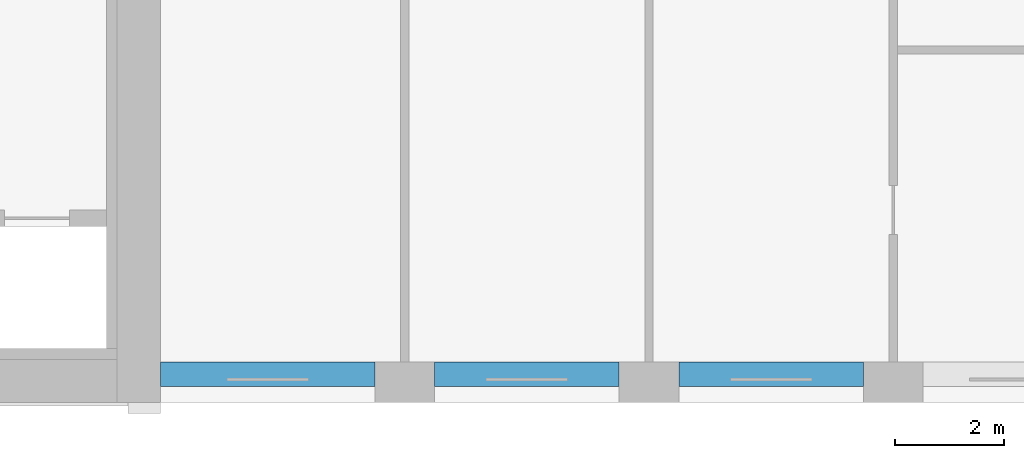
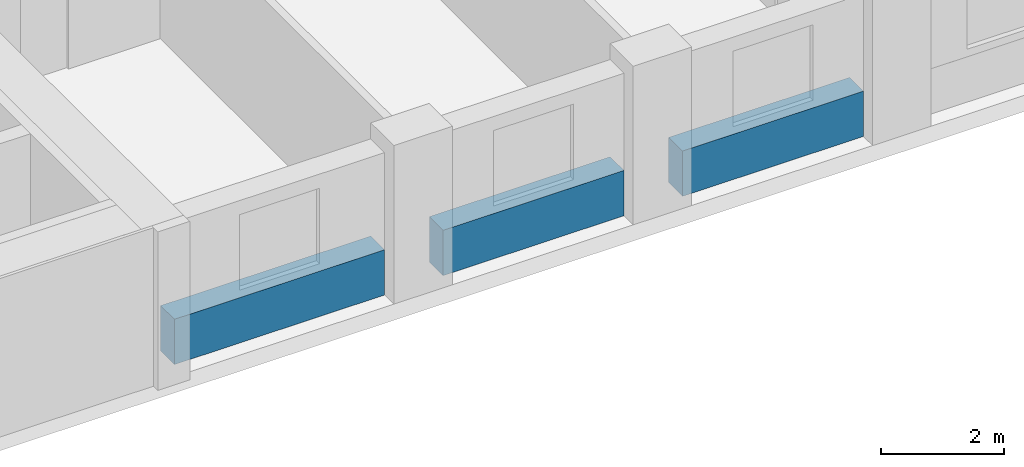
# One storey, part 3 of 16: 3 beams.
"""IFC4 building model written with IfcOpenShell, lengths in metres."""

from ifc_helpers import new_model, si_unit, direction, frame, origin, origin_2d, place, context, subcontext, project, spatial, rectangle, extrude, material, material_profile, profile_set, type_object, element, save


model = new_model("IFC4")

# Units and contexts
model_context = context("Model", 3, precision=1e-05, world=origin(), true_north=direction((0.0, 1.0)))
body_context = subcontext(model_context, "Body", "Model", "MODEL_VIEW")
ifc_project = project(units=[si_unit("LENGTHUNIT", "METRE"), si_unit("AREAUNIT", "SQUARE_METRE"), si_unit("VOLUMEUNIT", "CUBIC_METRE"), si_unit("PLANEANGLEUNIT", "RADIAN"), si_unit("MASSUNIT", "GRAM", prefix="KILO")], contexts=[model_context])

# Site, building, storey
site_placement = place(None, origin())
site = spatial("IfcSite", under=ifc_project, at=site_placement, CompositionType="ELEMENT")
building_placement = place(site_placement, origin())
building = spatial("IfcBuilding", under=site, at=building_placement, Name="Brigalow Station Residences", CompositionType="ELEMENT")
storey_placement = place(building_placement, frame((0.0, 0.0, 102.449951171875)))
storey = spatial("IfcBuildingStorey", under=building, at=storey_placement, Name="L29", CompositionType="ELEMENT", Elevation=102.449951171875)

# Beams
ifc_material = material(Name="Concrete C65", Category="concrete")
ifc_material_profile = material_profile(ifc_material, rectangle(XDim=0.449951171875, YDim=0.89990234375, at=origin_2d()), Name="RC450x900")
ifc_profile_set = profile_set([ifc_material_profile], Name="Concrete C65")
beam_type = type_object("IfcBeamType", Name="SPANDREL BEAM 450x900 C65", PredefinedType="SPANDREL", material=ifc_profile_set)
beam_placement = place(storey_placement, frame((54.0, 0.52490234375, 0.449951171875), z_axis=(1.0, 0.0, 0.0), x_axis=(0.0, 1.0, 0.0)))
element("IfcBeam", 1, at=beam_placement, inside=storey, type_object=beam_type, Name="L29/spandrel/W-L29-4", PredefinedType="SPANDREL", context=body_context, shape_type="SweptSolid", body=[
    extrude(rectangle(XDim=0.449951171875, YDim=0.89990234375, at=origin_2d()), origin(), (0.0, 0.0, 1.0), 3.949951171875),
])
for number, where, z_axis, x_axis, name in (
    (2, (59.050048828125, 0.52490234375, 0.449951171875), (1.0, 0.0, 0.0), (0.0, 1.0, 0.0), "L29/spandrel/W-L29-5"),
    (3, (63.550048828125, 0.52490234375, 0.449951171875), (1.0, 0.0, 0.0), (0.0, 1.0, 0.0), "L29/spandrel/W-L29-6"),
):
    element("IfcBeam", number, at=place(storey_placement, frame(where, z_axis=z_axis, x_axis=x_axis)), inside=storey, type_object=beam_type, Name=name, PredefinedType="SPANDREL", context=body_context, shape_type="SweptSolid", body=[
        extrude(rectangle(XDim=0.449951171875, YDim=0.89990234375, at=origin_2d()), origin(), (0.0, 0.0, 1.0), 3.39990234375),
    ])

save(model, "model.ifc")
